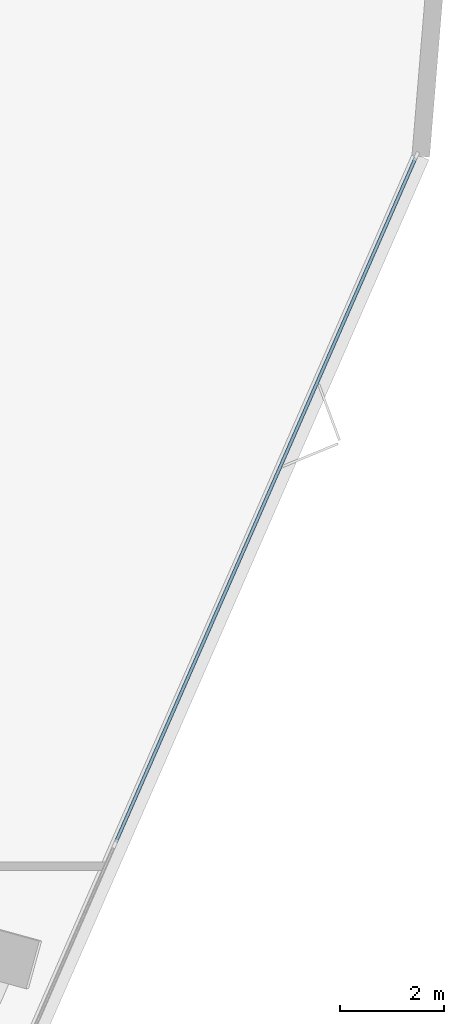
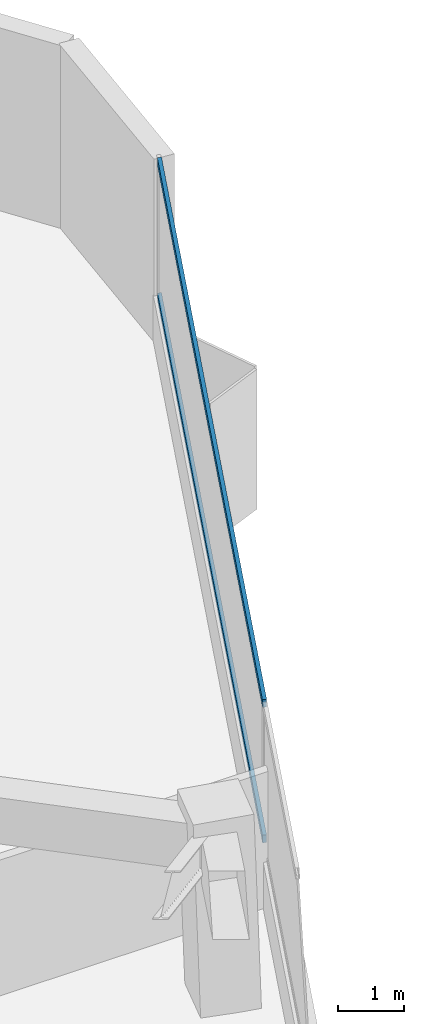
# One storey, part 10 of 21: 2 members, 1 element without a shape of its own.
"""IFC4 building model written with IfcOpenShell, lengths in metres."""

from ifc_helpers import new_model, si_unit, direction, frame, origin, origin_2d, place, context, subcontext, project, spatial, rectangle, extrude, material, layer, layer_set, material_profile, profile_set, type_object, element, aggregate, save


model = new_model("IFC4")

# Units and contexts
model_context = context("Model", 3, precision=1e-05, world=origin(), true_north=direction((0.0, 1.0)))
body_context = subcontext(model_context, "Body", "Model", "MODEL_VIEW")
ifc_project = project(units=[si_unit("LENGTHUNIT", "METRE"), si_unit("AREAUNIT", "SQUARE_METRE"), si_unit("VOLUMEUNIT", "CUBIC_METRE"), si_unit("PLANEANGLEUNIT", "RADIAN"), si_unit("MASSUNIT", "GRAM", prefix="KILO")], contexts=[model_context])

# Site, building, storey
site_placement = place(None, origin())
site = spatial("IfcSite", under=ifc_project, at=site_placement, CompositionType="ELEMENT")
building_placement = place(site_placement, origin())
building = spatial("IfcBuilding", under=site, at=building_placement, Name="Talyreon Biosciences Tower", CompositionType="ELEMENT")
storey_placement = place(building_placement, frame((0.0, 0.0, 33.75)))
storey = spatial("IfcBuildingStorey", under=building, at=storey_placement, Name="L08", CompositionType="ELEMENT", Elevation=33.75)

# Curtain wall, members
ifc_material_1 = material(Name="Thermally broken aluminium and low-E glazing", Category="aluminium")
ifc_layer = layer(ifc_material_1, 0.195068359375)
ifc_layer_set = layer_set([ifc_layer], Name="Thermally broken aluminium and low-E glazing")
curtain_wall_type = type_object("IfcCurtainWallType", Name="CurtainWall_Zone1WetLab", PredefinedType="NOTDEFINED", material=ifc_layer_set)
curtain_wall_placement = place(storey_placement, origin())
curtain_wall = element("IfcCurtainWall", 1, at=curtain_wall_placement, inside=storey, type_object=curtain_wall_type, Name="L08 Unitised Curtain Wall FCW-L08-08", PredefinedType="NOTDEFINED")
ifc_material_2 = material(Name="Anodised thermally broken aluminium", Category="aluminium")
ifc_material_profile = material_profile(ifc_material_2, rectangle(XDim=0.06494140625, YDim=0.139892578125, at=origin_2d()), Name="ALUM TRANSOM 65x140")
ifc_profile_set = profile_set([ifc_material_profile], Name="Anodised thermally broken aluminium")
member_type = type_object("IfcMemberType", Name="CWTransom_65x140", PredefinedType="USERDEFINED", material=ifc_profile_set)
member_1_placement = place(storey_placement, frame((99.709716796875, 84.873779296875, 0.842529296875), z_axis=(-0.401215092974, -0.915983869492, 0.0), x_axis=(0.915983869492, -0.401215092974, 0.0)))
member_1 = element("IfcMember", 2, at=member_1_placement, type_object=member_type, Name="CW2 transom 1.1", ObjectType="TRANSOM", PredefinedType="USERDEFINED", context=body_context, shape_type="SweptSolid", body=[
    extrude(rectangle(XDim=0.06494140625, YDim=0.139892578125, at=origin_2d()), origin(), (0.0, 0.0, 1.0), 14.38134765625),
])
member_2_placement = place(storey_placement, frame((99.709716796875, 84.873779296875, 3.342529296875), z_axis=(-0.401215092974, -0.915983869492, 0.0), x_axis=(0.915983869492, -0.401215092974, 0.0)))
member_2 = element("IfcMember", 3, at=member_2_placement, type_object=member_type, Name="CW2 transom 1.2", ObjectType="TRANSOM", PredefinedType="USERDEFINED", context=body_context, shape_type="SweptSolid", body=[
    extrude(rectangle(XDim=0.06494140625, YDim=0.139892578125, at=origin_2d()), origin(), (0.0, 0.0, 1.0), 14.38134765625),
])
aggregate(curtain_wall, [member_1, member_2])

save(model, "model.ifc")
